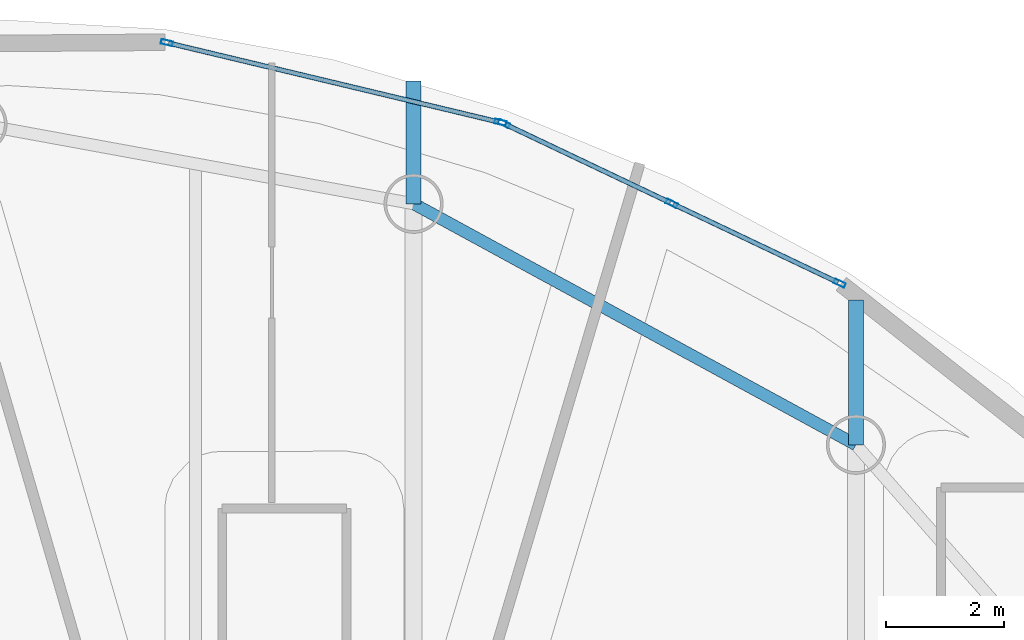
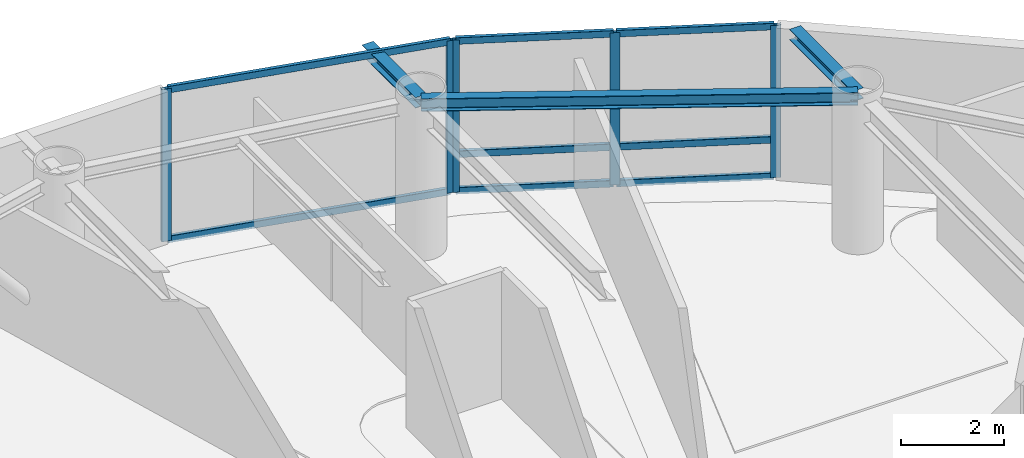
# One storey, part 13 of 20: 13 members, 3 beams, 2 elements without a shape of their own.
"""IFC4 building model written with IfcOpenShell, lengths in metres."""

from ifc_helpers import new_model, si_unit, direction, frame, origin, origin_2d, place, context, subcontext, project, spatial, hollow_rectangle, i_section, extrude, material, layer, layer_set, material_profile, profile_set, type_object, element, aggregate, save


model = new_model("IFC4")

# Units and contexts
model_context = context("Model", 3, precision=1e-05, world=origin(), true_north=direction((0.0, 1.0)))
body_context = subcontext(model_context, "Body", "Model", "MODEL_VIEW")
ifc_project = project(units=[si_unit("LENGTHUNIT", "METRE"), si_unit("AREAUNIT", "SQUARE_METRE"), si_unit("VOLUMEUNIT", "CUBIC_METRE"), si_unit("PLANEANGLEUNIT", "RADIAN"), si_unit("MASSUNIT", "GRAM", prefix="KILO")], contexts=[model_context])

# Site, building, storey
site_placement = place(None, origin())
site = spatial("IfcSite", under=ifc_project, at=site_placement, CompositionType="ELEMENT")
building_placement = place(site_placement, origin())
building = spatial("IfcBuilding", under=site, at=building_placement, Name="Bramvorn Convention Spire", CompositionType="ELEMENT")
storey_placement = place(building_placement, frame((0.0, 0.0, 276.699951171875)))
storey = spatial("IfcBuildingStorey", under=building, at=storey_placement, Name="L70", CompositionType="ELEMENT", Elevation=276.699951171875)

# Beams
ifc_material_1 = material(Name="Steel CSA G40.21 Grade 350 (350W)", Category="steel")
ifc_material_profile_1 = material_profile(ifc_material_1, i_section(OverallWidth=0.25390625, OverallDepth=0.2529296875, WebThickness=0.008544921875, FlangeThickness=0.01416015625, FilletRadius=0.011962890625, at=origin_2d()))
ifc_profile_set_1 = profile_set([ifc_material_profile_1], Name="Steel CSA G40.21 Grade 350 (350W) - W250X73")
beam_type_1 = type_object("IfcBeamType", Name="BM-W250X73", PredefinedType="BEAM", material=ifc_profile_set_1)
beam_1_placement = place(storey_placement, frame((47.662353515625, 41.476806640625, 3.49853515625), z_axis=(0.0, 1.0, 0.0), x_axis=(-1.0, 0.0, 0.0)))
element("IfcBeam", 1, at=beam_1_placement, inside=storey, type_object=beam_type_1, Name="L70 slab-edge cantilever tip beam MC06", PredefinedType="BEAM", context=body_context, shape_type="SweptSolid", body=[
    extrude(i_section(OverallWidth=0.25390625, OverallDepth=0.2529296875, WebThickness=0.008544921875, FlangeThickness=0.01416015625, FilletRadius=0.011962890625, at=origin_2d()), origin(), (0.0, 0.0, 1.0), 2.447021484375),
])
beam_2_placement = place(storey_placement, frame((40.1845703125, 45.55078125, 3.49853515625), z_axis=(0.0, 1.0, 0.0), x_axis=(-1.0, 0.0, 0.0)))
element("IfcBeam", 2, at=beam_2_placement, inside=storey, type_object=beam_type_1, Name="L70 slab-edge cantilever tip beam MC07", PredefinedType="BEAM", context=body_context, shape_type="SweptSolid", body=[
    extrude(i_section(OverallWidth=0.25390625, OverallDepth=0.2529296875, WebThickness=0.008544921875, FlangeThickness=0.01416015625, FilletRadius=0.011962890625, at=origin_2d()), origin(), (0.0, 0.0, 1.0), 2.07763671875),
])
ifc_material_profile_2 = material_profile(ifc_material_1, i_section(OverallWidth=0.202880859375, OverallDepth=0.302978515625, WebThickness=0.007568359375, FlangeThickness=0.01318359375, FilletRadius=0.013916015625, at=origin_2d()))
ifc_profile_set_2 = profile_set([ifc_material_profile_2], Name="Steel CSA G40.21 Grade 350 (350W) - W310X60")
beam_type_2 = type_object("IfcBeamType", Name="BM-W310X60", PredefinedType="JOIST", material=ifc_profile_set_2)
beam_3_placement = place(storey_placement, frame((47.662353515625, 41.476806640625, 3.4736328125), z_axis=(-0.878133224771, 0.478416178189, 0.0), x_axis=(-0.478416178189, -0.878133224771, 0.0)))
element("IfcBeam", 3, at=beam_3_placement, inside=storey, type_object=beam_type_2, Name="L70 mega-column ring beam 06", PredefinedType="JOIST", context=body_context, shape_type="SweptSolid", body=[
    extrude(i_section(OverallWidth=0.202880859375, OverallDepth=0.302978515625, WebThickness=0.007568359375, FlangeThickness=0.01318359375, FilletRadius=0.013916015625, at=origin_2d()), origin(), (0.0, 0.0, 1.0), 8.515625),
])

# Curtain wall, members
ifc_material_2 = material(Name="Anodised Bronze Unitised Curtain Wall", Category="aluminium")
ifc_layer = layer(ifc_material_2, 0.179931640625)
ifc_layer_set = layer_set([ifc_layer], Name="Anodised Bronze Unitised Curtain Wall - CW-OFF-FRIT")
curtain_wall_type = type_object("IfcCurtainWallType", Name="CW-OFF-FRIT", PredefinedType="USERDEFINED", material=ifc_layer_set)
curtain_wall_1_placement = place(storey_placement, origin())
curtain_wall_1 = element("IfcCurtainWall", 4, at=curtain_wall_1_placement, inside=storey, type_object=curtain_wall_type, Name="L70 fritted glass curtain wall 09", ObjectType="UNITISED CURTAIN WALL", PredefinedType="USERDEFINED")
ifc_material_3 = material(Name="Anodised Bronze Aluminium 6063-T6", Category="aluminium")
ifc_material_profile_3 = material_profile(ifc_material_3, hollow_rectangle(XDim=0.080078125, YDim=0.199951171875, WallThickness=0.00390625, InnerFilletRadius=0.0009765625, OuterFilletRadius=0.00390625, at=origin_2d()))
ifc_profile_set_3 = profile_set([ifc_material_profile_3], Name="Anodised Bronze Aluminium 6063-T6 - CWM80X200")
member_type_1 = type_object("IfcMemberType", Name="CW-MUL-180", PredefinedType="MULLION", material=ifc_profile_set_3)
member_1_placement = place(storey_placement, frame((41.710693359375, 46.906005859375, 0.0), z_axis=(0.0, 0.0, 1.0), x_axis=(0.429265433629, 0.90317838077, 0.0)))
member_1 = element("IfcMember", 5, at=member_1_placement, type_object=member_type_1, Name="CW3 mullion 1", PredefinedType="MULLION", context=body_context, shape_type="SweptSolid", body=[
    extrude(hollow_rectangle(XDim=0.080078125, YDim=0.199951171875, WallThickness=0.00390625, InnerFilletRadius=0.0009765625, OuterFilletRadius=0.00390625, at=origin_2d()), origin(), (0.0, 0.0, 1.0), 3.625),
])
member_2_placement = place(storey_placement, frame((44.548828125, 45.556884765625, 0.0), z_axis=(0.0, 0.0, 1.0), x_axis=(0.429265433629, 0.90317838077, 0.0)))
member_2 = element("IfcMember", 6, at=member_2_placement, type_object=member_type_1, Name="CW3 mullion 2", PredefinedType="MULLION", context=body_context, shape_type="SweptSolid", body=[
    extrude(hollow_rectangle(XDim=0.080078125, YDim=0.199951171875, WallThickness=0.00390625, InnerFilletRadius=0.0009765625, OuterFilletRadius=0.00390625, at=origin_2d()), origin(), (0.0, 0.0, 1.0), 3.625),
])
member_3_placement = place(storey_placement, frame((47.38720703125, 44.2080078125, 0.0), z_axis=(0.0, 0.0, 1.0), x_axis=(0.429265433629, 0.90317838077, 0.0)))
member_3 = element("IfcMember", 7, at=member_3_placement, type_object=member_type_1, Name="CW3 mullion 3", PredefinedType="MULLION", context=body_context, shape_type="SweptSolid", body=[
    extrude(hollow_rectangle(XDim=0.080078125, YDim=0.199951171875, WallThickness=0.00390625, InnerFilletRadius=0.0009765625, OuterFilletRadius=0.00390625, at=origin_2d()), origin(), (0.0, 0.0, 1.0), 3.625),
])

curtain_wall_2_placement = place(storey_placement, origin())
curtain_wall_2 = element("IfcCurtainWall", 8, at=curtain_wall_2_placement, inside=storey, type_object=curtain_wall_type, Name="L70 fritted glass curtain wall 10", ObjectType="UNITISED CURTAIN WALL", PredefinedType="USERDEFINED")
member_4_placement = place(storey_placement, frame((36.01318359375, 48.2744140625, 0.0), z_axis=(0.0, 0.0, 1.0), x_axis=(0.232492503039, 0.972598188375, 0.0)))
member_4 = element("IfcMember", 9, at=member_4_placement, type_object=member_type_1, Name="CW3 mullion 1", PredefinedType="MULLION", context=body_context, shape_type="SweptSolid", body=[
    extrude(hollow_rectangle(XDim=0.080078125, YDim=0.199951171875, WallThickness=0.00390625, InnerFilletRadius=0.0009765625, OuterFilletRadius=0.00390625, at=origin_2d()), origin(), (0.0, 0.0, 1.0), 3.625),
])
member_5_placement = place(storey_placement, frame((41.654296875, 46.92578125, 0.0), z_axis=(0.0, 0.0, 1.0), x_axis=(0.232492503039, 0.972598188375, 0.0)))
member_5 = element("IfcMember", 10, at=member_5_placement, type_object=member_type_1, Name="CW3 mullion 2", PredefinedType="MULLION", context=body_context, shape_type="SweptSolid", body=[
    extrude(hollow_rectangle(XDim=0.080078125, YDim=0.199951171875, WallThickness=0.00390625, InnerFilletRadius=0.0009765625, OuterFilletRadius=0.00390625, at=origin_2d()), origin(), (0.0, 0.0, 1.0), 3.625),
])

# Member
ifc_material_profile_4 = material_profile(ifc_material_3, hollow_rectangle(XDim=0.080078125, YDim=0.159912109375, WallThickness=0.00390625, InnerFilletRadius=0.0009765625, OuterFilletRadius=0.00390625, at=origin_2d()))
ifc_profile_set_4 = profile_set([ifc_material_profile_4], Name="Anodised Bronze Aluminium 6063-T6 - CWT80X160")
member_type_2 = type_object("IfcMemberType", Name="CW-TRN-150", PredefinedType="USERDEFINED", material=ifc_profile_set_4)
member_6_placement = place(storey_placement, frame((41.73779296875, 46.89306640625, 0.030029296875), z_axis=(0.903182330581, -0.429257123093, 0.0), x_axis=(0.429257123093, 0.903182330581, 0.0)))
member_6 = element("IfcMember", 11, at=member_6_placement, type_object=member_type_2, Name="CW3 transom 1.1", ObjectType="TRANSOM", PredefinedType="USERDEFINED", context=body_context, shape_type="SweptSolid", body=[
    extrude(hollow_rectangle(XDim=0.080078125, YDim=0.159912109375, WallThickness=0.00390625, InnerFilletRadius=0.0009765625, OuterFilletRadius=0.00390625, at=origin_2d()), origin(), (0.0, 0.0, 1.0), 3.08251953125),
])

member_7_placement = place(storey_placement, frame((41.73779296875, 46.89306640625, 0.900146484375), z_axis=(0.903182330581, -0.429257123093, 0.0), x_axis=(0.429257123093, 0.903182330581, 0.0)))
member_7 = element("IfcMember", 12, at=member_7_placement, type_object=member_type_2, Name="CW3 transom 1.2", ObjectType="TRANSOM", PredefinedType="USERDEFINED", context=body_context, shape_type="SweptSolid", body=[
    extrude(hollow_rectangle(XDim=0.080078125, YDim=0.159912109375, WallThickness=0.00390625, InnerFilletRadius=0.0009765625, OuterFilletRadius=0.00390625, at=origin_2d()), origin(), (0.0, 0.0, 1.0), 3.08251953125),
])

member_8_placement = place(storey_placement, frame((41.73779296875, 46.89306640625, 3.594970703125), z_axis=(0.903182330581, -0.429257123093, 0.0), x_axis=(0.429257123093, 0.903182330581, 0.0)))
member_8 = element("IfcMember", 13, at=member_8_placement, type_object=member_type_2, Name="CW3 transom 1.3", ObjectType="TRANSOM", PredefinedType="USERDEFINED", context=body_context, shape_type="SweptSolid", body=[
    extrude(hollow_rectangle(XDim=0.080078125, YDim=0.159912109375, WallThickness=0.00390625, InnerFilletRadius=0.0009765625, OuterFilletRadius=0.00390625, at=origin_2d()), origin(), (0.0, 0.0, 1.0), 3.08251953125),
])

member_9_placement = place(storey_placement, frame((44.575927734375, 45.544189453125, 0.030029296875), z_axis=(0.903182330581, -0.429257123093, 0.0), x_axis=(0.429257123093, 0.903182330581, 0.0)))
member_9 = element("IfcMember", 14, at=member_9_placement, type_object=member_type_2, Name="CW3 transom 2.1", ObjectType="TRANSOM", PredefinedType="USERDEFINED", context=body_context, shape_type="SweptSolid", body=[
    extrude(hollow_rectangle(XDim=0.080078125, YDim=0.159912109375, WallThickness=0.00390625, InnerFilletRadius=0.0009765625, OuterFilletRadius=0.00390625, at=origin_2d()), origin(), (0.0, 0.0, 1.0), 3.08251953125),
])

member_10_placement = place(storey_placement, frame((44.575927734375, 45.544189453125, 0.900146484375), z_axis=(0.903182330581, -0.429257123093, 0.0), x_axis=(0.429257123093, 0.903182330581, 0.0)))
member_10 = element("IfcMember", 15, at=member_10_placement, type_object=member_type_2, Name="CW3 transom 2.2", ObjectType="TRANSOM", PredefinedType="USERDEFINED", context=body_context, shape_type="SweptSolid", body=[
    extrude(hollow_rectangle(XDim=0.080078125, YDim=0.159912109375, WallThickness=0.00390625, InnerFilletRadius=0.0009765625, OuterFilletRadius=0.00390625, at=origin_2d()), origin(), (0.0, 0.0, 1.0), 3.08251953125),
])

member_11_placement = place(storey_placement, frame((44.575927734375, 45.544189453125, 3.594970703125), z_axis=(0.903182330581, -0.429257123093, 0.0), x_axis=(0.429257123093, 0.903182330581, 0.0)))
member_11 = element("IfcMember", 16, at=member_11_placement, type_object=member_type_2, Name="CW3 transom 2.3", ObjectType="TRANSOM", PredefinedType="USERDEFINED", context=body_context, shape_type="SweptSolid", body=[
    extrude(hollow_rectangle(XDim=0.080078125, YDim=0.159912109375, WallThickness=0.00390625, InnerFilletRadius=0.0009765625, OuterFilletRadius=0.00390625, at=origin_2d()), origin(), (0.0, 0.0, 1.0), 3.08251953125),
])

aggregate(curtain_wall_1, [member_1, member_2, member_3, member_6, member_7, member_8, member_9, member_10, member_11])

member_12_placement = place(storey_placement, frame((36.04248046875, 48.267333984375, 0.030029296875), z_axis=(0.972600011497, -0.232484876146, 0.0), x_axis=(0.232484876146, 0.972600011497, 0.0)))
member_12 = element("IfcMember", 17, at=member_12_placement, type_object=member_type_2, Name="CW3 transom 1.1", ObjectType="TRANSOM", PredefinedType="USERDEFINED", context=body_context, shape_type="SweptSolid", body=[
    extrude(hollow_rectangle(XDim=0.080078125, YDim=0.159912109375, WallThickness=0.00390625, InnerFilletRadius=0.0009765625, OuterFilletRadius=0.00390625, at=origin_2d()), origin(), (0.0, 0.0, 1.0), 5.739990234375),
])

member_13_placement = place(storey_placement, frame((36.04248046875, 48.267333984375, 3.594970703125), z_axis=(0.972600011497, -0.232484876146, 0.0), x_axis=(0.232484876146, 0.972600011497, 0.0)))
member_13 = element("IfcMember", 18, at=member_13_placement, type_object=member_type_2, Name="CW3 transom 1.2", ObjectType="TRANSOM", PredefinedType="USERDEFINED", context=body_context, shape_type="SweptSolid", body=[
    extrude(hollow_rectangle(XDim=0.080078125, YDim=0.159912109375, WallThickness=0.00390625, InnerFilletRadius=0.0009765625, OuterFilletRadius=0.00390625, at=origin_2d()), origin(), (0.0, 0.0, 1.0), 5.739990234375),
])

aggregate(curtain_wall_2, [member_4, member_5, member_12, member_13])

save(model, "model.ifc")
